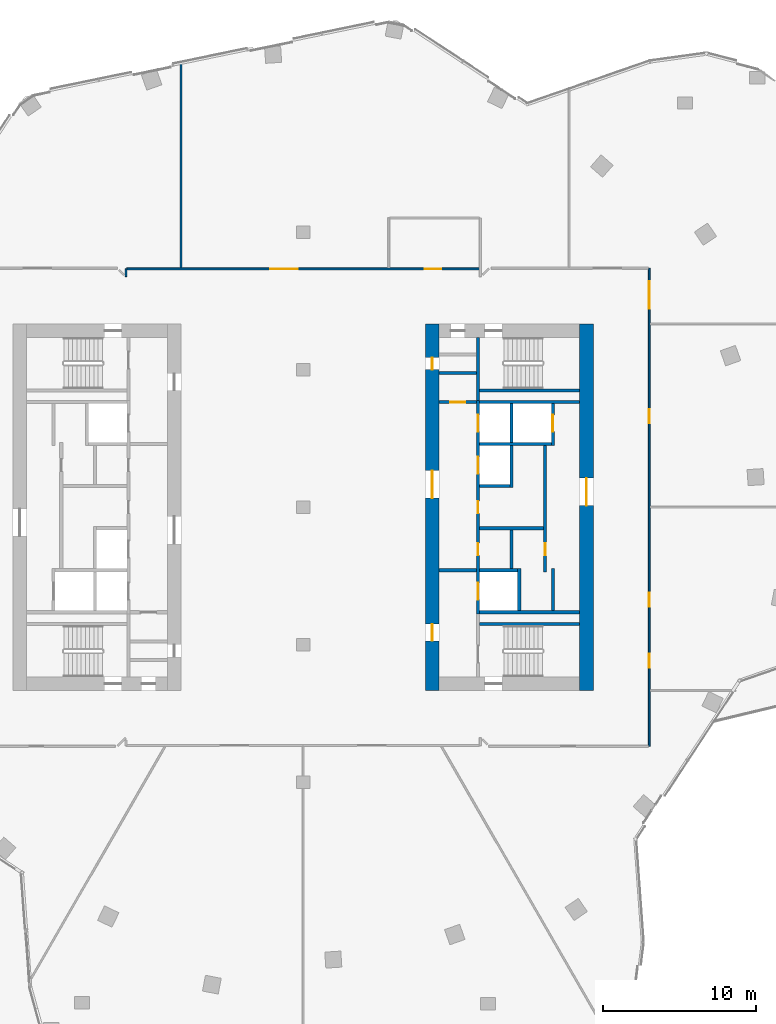
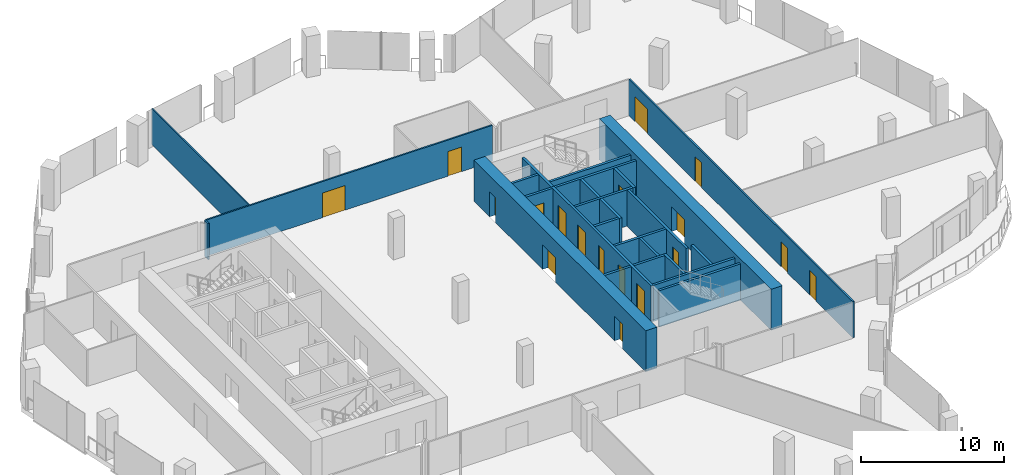
# One storey, part 19 of 26: 26 walls, 18 doors, 18 openings.
"""IFC4 building model written with IfcOpenShell, lengths in metres."""

from ifc_helpers import new_model, si_unit, direction, frame, frame_2d, origin, place, context, subcontext, project, spatial, rectangle, extrude, material, layer, layer_set, type_object, element, fill, save


model = new_model("IFC4")

# Units and contexts
model_context = context("Model", 3, precision=1e-05, world=origin(), true_north=direction((0.0, 1.0)))
body_context = subcontext(model_context, "Body", "Model", "MODEL_VIEW")
ifc_project = project(units=[si_unit("LENGTHUNIT", "METRE"), si_unit("AREAUNIT", "SQUARE_METRE"), si_unit("VOLUMEUNIT", "CUBIC_METRE"), si_unit("PLANEANGLEUNIT", "RADIAN"), si_unit("MASSUNIT", "GRAM", prefix="KILO")], contexts=[model_context])

# Site, building, storey
site_placement = place(None, origin())
site = spatial("IfcSite", under=ifc_project, at=site_placement, CompositionType="ELEMENT")
building_placement = place(site_placement, origin())
building = spatial("IfcBuilding", under=site, at=building_placement, Name="Orlundy Tower", CompositionType="ELEMENT")
storey_placement = place(building_placement, frame((0.0, 0.0, 232.0)))
storey = spatial("IfcBuildingStorey", under=building, at=storey_placement, Name="L61", CompositionType="ELEMENT", Elevation=232.0)

# Wall, openings, doors
ifc_material_1 = material(Name="Concrete C60/75", Category="concrete")
ifc_layer_1 = layer(ifc_material_1, 0.89990234375)
ifc_layer_set_1 = layer_set([ifc_layer_1], Name="CORE WALL 900 C60/75")
wall_type_1 = type_object("IfcWallType", Name="CORE WALL 900 C60/75", PredefinedType="SHEAR", material=ifc_layer_set_1)
wall_1_placement = place(storey_placement, frame((8.449951171875, -12.0, 0.0), z_axis=(0.0, 0.0, 1.0), x_axis=(0.0, 1.0, 0.0)))
wall_1 = element("IfcWall", 1, at=wall_1_placement, inside=storey, type_object=wall_type_1, Name="Core wall E-W L61", PredefinedType="SHEAR", context=body_context, shape_type="SweptSolid", body=[
    extrude(rectangle(XDim=24.0, YDim=0.89990234375, at=frame_2d((12.0, 0.0))), origin(), (0.0, 0.0, 1.0), 3.5),
])
opening_1_placement = place(wall_1_placement, frame((12.60009765625, 0.0, 0.0)))
opening_1 = element("IfcOpeningElement", 2, at=opening_1_placement, cuts=wall_1, Name="Opening 47057", PredefinedType="OPENING", context=body_context, shape_type="SweptSolid", body=[
    extrude(rectangle(XDim=1.800048828125, YDim=2.10009765625, at=frame_2d((0.89990234375, 1.050048828125))), frame((0.0, 0.4599609375, 0.0), z_axis=(0.0, -1.0, 0.0), x_axis=(1.0, 0.0, 0.0)), (0.0, 0.0, 1.0), 0.919921875),
])
opening_2_placement = place(wall_1_placement, frame((3.25, 0.0, 0.0)))
opening_2 = element("IfcOpeningElement", 3, at=opening_2_placement, cuts=wall_1, Name="Opening 47059", PredefinedType="OPENING", context=body_context, shape_type="SweptSolid", body=[
    extrude(rectangle(XDim=1.10009765625, YDim=2.10009765625, at=frame_2d((0.550048828125, 1.050048828125))), frame((0.0, 0.4599609375, 0.0), z_axis=(0.0, -1.0, 0.0), x_axis=(1.0, 0.0, 0.0)), (0.0, 0.0, 1.0), 0.919921875),
])
opening_3_placement = place(wall_1_placement, frame((21.0, 0.0, 0.0)))
opening_3 = element("IfcOpeningElement", 4, at=opening_3_placement, cuts=wall_1, Name="Opening 47064", PredefinedType="OPENING", context=body_context, shape_type="SweptSolid", body=[
    extrude(rectangle(XDim=0.800048828125, YDim=2.10009765625, at=frame_2d((0.39990234375, 1.050048828125))), frame((0.0, 0.4599609375, 0.0), z_axis=(0.0, -1.0, 0.0), x_axis=(1.0, 0.0, 0.0)), (0.0, 0.0, 1.0), 0.919921875),
])
ifc_material_2 = material(Name="Steel door set", Category="steel")
door_type_1 = type_object("IfcDoorType", Name="Fire-fighting Lobby Door 1100x2100", OperationType="SINGLE_SWING_LEFT", PredefinedType="DOOR", material=ifc_material_2)
door_1_placement = place(opening_2_placement, origin())
door_1 = element("IfcDoor", 5, at=door_1_placement, inside=storey, type_object=door_type_1, Name="Fire-fighting lobby door 47059", OperationType="SINGLE_SWING_LEFT", OverallHeight=2.10009765625, OverallWidth=1.10009765625, PredefinedType="DOOR", context=body_context, shape_type="SweptSolid", body=[
    extrude(rectangle(XDim=1.10009765625, YDim=2.10009765625, at=frame_2d((0.550048828125, 1.050048828125))), frame((0.0, 0.02490234375, 0.0), z_axis=(0.0, -1.0, 0.0), x_axis=(1.0, 0.0, 0.0)), (0.0, 0.0, 1.0), 0.050048828125),
])
fill(opening_2, door_1)
ifc_material_3 = material(Name="Timber door set", Category="wood")
door_type_2 = type_object("IfcDoorType", Name="Lobby Door 1800x2100", OperationType="DOUBLE_DOOR_DOUBLE_SWING", PredefinedType="DOOR", material=ifc_material_3)
door_2_placement = place(opening_1_placement, origin())
door_2 = element("IfcDoor", 6, at=door_2_placement, inside=storey, type_object=door_type_2, Name="Lift lobby door 47057", OperationType="SINGLE_SWING_RIGHT", OverallHeight=2.10009765625, OverallWidth=1.800048828125, PredefinedType="DOOR", context=body_context, shape_type="SweptSolid", body=[
    extrude(rectangle(XDim=1.800048828125, YDim=2.10009765625, at=frame_2d((0.89990234375, 1.050048828125))), frame((0.0, 0.02490234375, 0.0), z_axis=(0.0, -1.0, 0.0), x_axis=(1.0, 0.0, 0.0)), (0.0, 0.0, 1.0), 0.050048828125),
])
fill(opening_1, door_2)
ifc_material_4 = material(Name="Timber door set", Category="wood")
door_type_3 = type_object("IfcDoorType", Name="Riser Door 800x2100", OperationType="SINGLE_SWING_LEFT", PredefinedType="DOOR", material=ifc_material_4)
door_3_placement = place(opening_3_placement, origin())
door_3 = element("IfcDoor", 7, at=door_3_placement, inside=storey, type_object=door_type_3, Name="Door 47064", OperationType="SINGLE_SWING_RIGHT", OverallHeight=2.10009765625, OverallWidth=0.800048828125, PredefinedType="DOOR", context=body_context, shape_type="SweptSolid", body=[
    extrude(rectangle(XDim=0.800048828125, YDim=2.10009765625, at=frame_2d((0.39990234375, 1.050048828125))), frame((0.0, 0.02490234375, 0.0), z_axis=(0.0, -1.0, 0.0), x_axis=(1.0, 0.0, 0.0)), (0.0, 0.0, 1.0), 0.050048828125),
])
fill(opening_3, door_3)

# Wall, opening, door
wall_2_placement = place(storey_placement, frame((18.550048828125, -12.0, 0.0), z_axis=(0.0, 0.0, 1.0), x_axis=(0.0, 1.0, 0.0)))
wall_2 = element("IfcWall", 8, at=wall_2_placement, inside=storey, type_object=wall_type_1, Name="Core wall E-E L61", PredefinedType="SHEAR", context=body_context, shape_type="SweptSolid", body=[
    extrude(rectangle(XDim=24.0, YDim=0.89990234375, at=frame_2d((12.0, 0.0))), origin(), (0.0, 0.0, 1.0), 3.5),
])
opening_4_placement = place(wall_2_placement, frame((12.10009765625, 0.0, 0.0)))
opening_4 = element("IfcOpeningElement", 9, at=opening_4_placement, cuts=wall_2, Name="Opening 47058", PredefinedType="OPENING", context=body_context, shape_type="SweptSolid", body=[
    extrude(rectangle(XDim=1.800048828125, YDim=2.10009765625, at=frame_2d((0.89990234375, 1.050048828125))), frame((0.0, 0.4599609375, 0.0), z_axis=(0.0, -1.0, 0.0), x_axis=(1.0, 0.0, 0.0)), (0.0, 0.0, 1.0), 0.919921875),
])
door_4_placement = place(opening_4_placement, origin())
door_4 = element("IfcDoor", 10, at=door_4_placement, inside=storey, type_object=door_type_2, Name="Lift lobby door 47058", OperationType="SINGLE_SWING_RIGHT", OverallHeight=2.10009765625, OverallWidth=1.800048828125, PredefinedType="DOOR", context=body_context, shape_type="SweptSolid", body=[
    extrude(rectangle(XDim=1.800048828125, YDim=2.10009765625, at=frame_2d((0.89990234375, 1.050048828125))), frame((0.0, 0.02490234375, 0.0), z_axis=(0.0, -1.0, 0.0), x_axis=(1.0, 0.0, 0.0)), (0.0, 0.0, 1.0), 0.050048828125),
])
fill(opening_4, door_4)

# Wall
ifc_material_5 = material(Name="Gypsum board partition")
ifc_layer_2 = layer(ifc_material_5, 0.10009765625)
ifc_layer_set_2 = layer_set([ifc_layer_2], Name="Floor partition 100")
wall_type_2 = type_object("IfcWallType", Name="Floor partition 100", PredefinedType="PARTITIONING", material=ifc_layer_set_2)
wall_3_placement = place(storey_placement, frame((-8.0, 15.6640625, 0.0), z_axis=(0.0, 0.0, 1.0), x_axis=(0.0, 1.0, 0.0)))
element("IfcWall", 11, at=wall_3_placement, inside=storey, type_object=wall_type_2, Name="wall-int-L61-028", PredefinedType="PARTITIONING", context=body_context, shape_type="SweptSolid", body=[
    extrude(rectangle(XDim=13.572021484375, YDim=0.10009765625, at=frame_2d((6.7861328125, 0.0))), origin(), (0.0, 0.0, 1.0), 3.080078125),
])

# Wall, openings, doors
ifc_material_6 = material(Name="Gypsum board partition, double layer")
ifc_layer_3 = layer(ifc_material_6, 0.125)
ifc_layer_set_3 = layer_set([ifc_layer_3], Name="Floor partition 125")
wall_type_3 = type_object("IfcWallType", Name="Floor partition 125", PredefinedType="PARTITIONING", material=ifc_layer_set_3)
wall_4_placement = place(storey_placement, frame((-11.537109375, 15.60107421875, 0.0), z_axis=(0.0, 0.0, 1.0), x_axis=(1.0, 0.0, 0.0)))
wall_4 = element("IfcWall", 12, at=wall_4_placement, inside=storey, type_object=wall_type_3, Name="wall-int-L61-014", PredefinedType="PARTITIONING", context=body_context, shape_type="SweptSolid", body=[
    extrude(rectangle(XDim=23.07421875, YDim=0.125, at=frame_2d((11.537109375, 0.0))), origin(), (0.0, 0.0, 1.0), 3.080078125),
])
opening_5_placement = place(wall_4_placement, frame((9.387451171875, 0.0, 0.0)))
opening_5 = element("IfcOpeningElement", 13, at=opening_5_placement, cuts=wall_4, Name="Opening 47109", PredefinedType="OPENING", context=body_context, shape_type="SweptSolid", body=[
    extrude(rectangle(XDim=1.800048828125, YDim=2.10009765625, at=frame_2d((0.89990234375, 1.050048828125))), frame((0.0, 0.072509765625, 0.0), z_axis=(0.0, -1.0, 0.0), x_axis=(1.0, 0.0, 0.0)), (0.0, 0.0, 1.0), 0.14501953125),
])
opening_6_placement = place(wall_4_placement, frame((19.486572265625, 0.0, 0.0)))
opening_6 = element("IfcOpeningElement", 14, at=opening_6_placement, cuts=wall_4, Name="Opening 47113", PredefinedType="OPENING", context=body_context, shape_type="SweptSolid", body=[
    extrude(rectangle(XDim=1.10009765625, YDim=2.10009765625, at=frame_2d((0.550048828125, 1.050048828125))), frame((0.0, 0.072509765625, 0.0), z_axis=(0.0, -1.0, 0.0), x_axis=(1.0, 0.0, 0.0)), (0.0, 0.0, 1.0), 0.14501953125),
])
ifc_material_7 = material(Name="Timber door leaf", Category="wood")
door_type_4 = type_object("IfcDoorType", Name="Floor door double 1800 FD30S", OperationType="NOTDEFINED", PredefinedType="DOOR", material=ifc_material_7)
door_5_placement = place(opening_5_placement, origin())
door_5 = element("IfcDoor", 15, at=door_5_placement, inside=storey, type_object=door_type_4, Name="Door 47109", OperationType="DOUBLE_DOOR_SINGLE_SWING", OverallHeight=2.10009765625, OverallWidth=1.800048828125, PredefinedType="DOOR", context=body_context, shape_type="SweptSolid", body=[
    extrude(rectangle(XDim=1.800048828125, YDim=2.10009765625, at=frame_2d((0.89990234375, 1.050048828125))), frame((0.0, 0.02490234375, 0.0), z_axis=(0.0, -1.0, 0.0), x_axis=(1.0, 0.0, 0.0)), (0.0, 0.0, 1.0), 0.050048828125),
])
fill(opening_5, door_5)
ifc_material_8 = material(Name="Timber door leaf", Category="wood")
door_type_5 = type_object("IfcDoorType", Name="Floor door xwide 1100 FD30S", OperationType="NOTDEFINED", PredefinedType="DOOR", material=ifc_material_8)
door_6_placement = place(opening_6_placement, origin())
door_6 = element("IfcDoor", 16, at=door_6_placement, inside=storey, type_object=door_type_5, Name="Door 47113", OperationType="SINGLE_SWING_RIGHT", OverallHeight=2.10009765625, OverallWidth=1.10009765625, PredefinedType="DOOR", context=body_context, shape_type="SweptSolid", body=[
    extrude(rectangle(XDim=1.10009765625, YDim=2.10009765625, at=frame_2d((0.550048828125, 1.050048828125))), frame((0.0, 0.02490234375, 0.0), z_axis=(0.0, -1.0, 0.0), x_axis=(1.0, 0.0, 0.0)), (0.0, 0.0, 1.0), 0.050048828125),
])
fill(opening_6, door_6)

# Wall
wall_5_placement = place(storey_placement, frame((-11.60107421875, 15.092041015625, 0.0), z_axis=(0.0, 0.0, 1.0), x_axis=(0.00192214926, 0.999998152669, 0.0)))
element("IfcWall", 17, at=wall_5_placement, inside=storey, type_object=wall_type_3, Name="wall-int-L61-021", PredefinedType="PARTITIONING", context=body_context, shape_type="SweptSolid", body=[
    extrude(rectangle(XDim=0.508056640625, YDim=0.125, at=frame_2d((0.25390625, 0.0))), origin(), (0.0, 0.0, 1.0), 3.080078125),
])

# Wall, openings, doors
wall_6_placement = place(storey_placement, frame((22.65087890625, 15.64990234375, 0.0), z_axis=(0.0, 0.0, 1.0), x_axis=(0.0, -1.0, 0.0)))
wall_6 = element("IfcWall", 18, at=wall_6_placement, inside=storey, type_object=wall_type_3, Name="wall-int-L61-022", PredefinedType="PARTITIONING", context=body_context, shape_type="SweptSolid", body=[
    extrude(rectangle(XDim=31.2998046875, YDim=0.125, at=frame_2d((15.64990234375, 0.0))), origin(), (0.0, 0.0, 1.0), 3.080078125),
])
opening_7_placement = place(wall_6_placement, frame((25.25, 0.0, 0.0)))
opening_7 = element("IfcOpeningElement", 19, at=opening_7_placement, cuts=wall_6, Name="Opening 47104", PredefinedType="OPENING", context=body_context, shape_type="SweptSolid", body=[
    extrude(rectangle(XDim=0.89990234375, YDim=2.10009765625, at=frame_2d((0.449951171875, 1.050048828125))), frame((0.0, 0.072509765625, 0.0), z_axis=(0.0, -1.0, 0.0), x_axis=(1.0, 0.0, 0.0)), (0.0, 0.0, 1.0), 0.14501953125),
])
opening_8_placement = place(wall_6_placement, frame((21.25, 0.0, 0.0)))
opening_8 = element("IfcOpeningElement", 20, at=opening_8_placement, cuts=wall_6, Name="Opening 47105", PredefinedType="OPENING", context=body_context, shape_type="SweptSolid", body=[
    extrude(rectangle(XDim=0.89990234375, YDim=2.10009765625, at=frame_2d((0.449951171875, 1.050048828125))), frame((0.0, 0.072509765625, 0.0), z_axis=(0.0, -1.0, 0.0), x_axis=(1.0, 0.0, 0.0)), (0.0, 0.0, 1.0), 0.14501953125),
])
opening_9_placement = place(wall_6_placement, frame((9.25, 0.0, 0.0)))
opening_9 = element("IfcOpeningElement", 21, at=opening_9_placement, cuts=wall_6, Name="Opening 47106", PredefinedType="OPENING", context=body_context, shape_type="SweptSolid", body=[
    extrude(rectangle(XDim=0.89990234375, YDim=2.10009765625, at=frame_2d((0.449951171875, 1.050048828125))), frame((0.0, 0.072509765625, 0.0), z_axis=(0.0, -1.0, 0.0), x_axis=(1.0, 0.0, 0.0)), (0.0, 0.0, 1.0), 0.14501953125),
])
opening_10_placement = place(wall_6_placement, frame((0.85009765625, 0.0, 0.0)))
opening_10 = element("IfcOpeningElement", 22, at=opening_10_placement, cuts=wall_6, Name="Opening 47108", PredefinedType="OPENING", context=body_context, shape_type="SweptSolid", body=[
    extrude(rectangle(XDim=1.800048828125, YDim=2.10009765625, at=frame_2d((0.89990234375, 1.050048828125))), frame((0.0, 0.072509765625, 0.0), z_axis=(0.0, -1.0, 0.0), x_axis=(1.0, 0.0, 0.0)), (0.0, 0.0, 1.0), 0.14501953125),
])
door_7_placement = place(opening_10_placement, origin())
door_7 = element("IfcDoor", 23, at=door_7_placement, inside=storey, type_object=door_type_4, Name="Door 47108", OperationType="DOUBLE_DOOR_SINGLE_SWING", OverallHeight=2.10009765625, OverallWidth=1.800048828125, PredefinedType="DOOR", context=body_context, shape_type="SweptSolid", body=[
    extrude(rectangle(XDim=1.800048828125, YDim=2.10009765625, at=frame_2d((0.89990234375, 1.050048828125))), frame((0.0, 0.02490234375, 0.0), z_axis=(0.0, -1.0, 0.0), x_axis=(1.0, 0.0, 0.0)), (0.0, 0.0, 1.0), 0.050048828125),
])
fill(opening_10, door_7)
ifc_material_9 = material(Name="Timber door leaf", Category="wood")
door_type_6 = type_object("IfcDoorType", Name="Floor door single 900 FD30S", OperationType="NOTDEFINED", PredefinedType="DOOR", material=ifc_material_9)
door_8_placement = place(opening_7_placement, origin())
door_8 = element("IfcDoor", 24, at=door_8_placement, inside=storey, type_object=door_type_6, Name="Door 47104", OperationType="SINGLE_SWING_RIGHT", OverallHeight=2.10009765625, OverallWidth=0.89990234375, PredefinedType="DOOR", context=body_context, shape_type="SweptSolid", body=[
    extrude(rectangle(XDim=0.89990234375, YDim=2.10009765625, at=frame_2d((0.449951171875, 1.050048828125))), frame((0.0, 0.02490234375, 0.0), z_axis=(0.0, -1.0, 0.0), x_axis=(1.0, 0.0, 0.0)), (0.0, 0.0, 1.0), 0.050048828125),
])
fill(opening_7, door_8)
door_9_placement = place(opening_8_placement, origin())
door_9 = element("IfcDoor", 25, at=door_9_placement, inside=storey, type_object=door_type_6, Name="Door 47105", OperationType="SINGLE_SWING_RIGHT", OverallHeight=2.10009765625, OverallWidth=0.89990234375, PredefinedType="DOOR", context=body_context, shape_type="SweptSolid", body=[
    extrude(rectangle(XDim=0.89990234375, YDim=2.10009765625, at=frame_2d((0.449951171875, 1.050048828125))), frame((0.0, 0.02490234375, 0.0), z_axis=(0.0, -1.0, 0.0), x_axis=(1.0, 0.0, 0.0)), (0.0, 0.0, 1.0), 0.050048828125),
])
fill(opening_8, door_9)
door_10_placement = place(opening_9_placement, origin())
door_10 = element("IfcDoor", 26, at=door_10_placement, inside=storey, type_object=door_type_6, Name="Door 47106", OperationType="SINGLE_SWING_LEFT", OverallHeight=2.10009765625, OverallWidth=0.89990234375, PredefinedType="DOOR", context=body_context, shape_type="SweptSolid", body=[
    extrude(rectangle(XDim=0.89990234375, YDim=2.10009765625, at=frame_2d((0.449951171875, 1.050048828125))), frame((0.0, 0.02490234375, 0.0), z_axis=(0.0, -1.0, 0.0), x_axis=(1.0, 0.0, 0.0)), (0.0, 0.0, 1.0), 0.050048828125),
])
fill(opening_9, door_10)

# Walls
ifc_material_10 = material(Name="Concrete C40/50", Category="concrete")
ifc_layer_4 = layer(ifc_material_10, 0.199951171875)
ifc_layer_set_4 = layer_set([ifc_layer_4], Name="Load-bearing Shaft Wall 200")
wall_type_4 = type_object("IfcWallType", Name="Load-bearing Shaft Wall 200", PredefinedType="SOLIDWALL", material=ifc_layer_set_4)
wall_7_placement = place(storey_placement, frame((11.5400390625, -7.64990234375, 0.0), z_axis=(0.0, 0.0, 1.0), x_axis=(1.0, 0.0, 0.0)))
element("IfcWall", 27, at=wall_7_placement, inside=storey, type_object=wall_type_4, Name="Shaft wall E47-stair-side-n", PredefinedType="SOLIDWALL", context=body_context, shape_type="SweptSolid", body=[
    extrude(rectangle(XDim=6.56005859375, YDim=0.199951171875, at=frame_2d((3.280029296875, 0.0))), origin(), (0.0, 0.0, 1.0), 3.090087890625),
])
wall_8_placement = place(storey_placement, frame((11.43994140625, 11.10009765625, 0.0), z_axis=(0.0, 0.0, 1.0), x_axis=(0.0, -1.0, 0.0)))
element("IfcWall", 28, at=wall_8_placement, inside=storey, type_object=wall_type_4, Name="Shaft wall E47-stair-end-s", PredefinedType="SOLIDWALL", context=body_context, shape_type="SweptSolid", body=[
    extrude(rectangle(XDim=4.125, YDim=0.199951171875, at=frame_2d((2.0625, 0.0))), origin(), (0.0, 0.0, 1.0), 3.090087890625),
])
wall_9_placement = place(storey_placement, frame((11.5400390625, 7.64990234375, 0.0), z_axis=(0.0, 0.0, 1.0), x_axis=(1.0, 0.0, 0.0)))
element("IfcWall", 29, at=wall_9_placement, inside=storey, type_object=wall_type_4, Name="Shaft wall E47-stair-side-s", PredefinedType="SOLIDWALL", context=body_context, shape_type="SweptSolid", body=[
    extrude(rectangle(XDim=6.56005859375, YDim=0.199951171875, at=frame_2d((3.280029296875, 0.0))), origin(), (0.0, 0.0, 1.0), 3.090087890625),
])
ifc_material_11 = material(Name="Gypsum board partition on steel studs", Category="steel")
ifc_layer_5 = layer(ifc_material_11, 0.199951171875)
ifc_layer_set_5 = layer_set([ifc_layer_5], Name="Partition 200")
wall_type_5 = type_object("IfcWallType", Name="Partition 200", PredefinedType="PARTITIONING", material=ifc_layer_set_5)
wall_10_placement = place(storey_placement, frame((8.89990234375, -4.125, 0.0), z_axis=(0.0, 0.0, 1.0), x_axis=(1.0, 0.0, 0.0)))
element("IfcWall", 30, at=wall_10_placement, inside=storey, type_object=wall_type_5, Name="Partition wall E47-lobby-n", PredefinedType="PARTITIONING", context=body_context, shape_type="SweptSolid", body=[
    extrude(rectangle(XDim=2.440185546875, YDim=0.199951171875, at=frame_2d((1.22021484375, 0.0))), origin(), (0.0, 0.0, 1.0), 3.090087890625),
])

# Wall, opening, door
wall_11_placement = place(storey_placement, frame((8.89990234375, 6.875, 0.0), z_axis=(0.0, 0.0, 1.0), x_axis=(1.0, 0.0, 0.0)))
wall_11 = element("IfcWall", 31, at=wall_11_placement, inside=storey, type_object=wall_type_5, Name="Partition wall E47-end-s", PredefinedType="PARTITIONING", context=body_context, shape_type="SweptSolid", body=[
    extrude(rectangle(XDim=2.440185546875, YDim=0.199951171875, at=frame_2d((1.22021484375, 0.0))), origin(), (0.0, 0.0, 1.0), 3.090087890625),
])
opening_11_placement = place(wall_11_placement, frame((0.719970703125, 0.0, 0.0)))
opening_11 = element("IfcOpeningElement", 32, at=opening_11_placement, cuts=wall_11, Name="Opening 47065", PredefinedType="OPENING", context=body_context, shape_type="SweptSolid", body=[
    extrude(rectangle(XDim=1.0, YDim=2.10009765625, at=frame_2d((0.5, 1.050048828125))), frame((0.0, 0.110107421875, 0.0), z_axis=(0.0, -1.0, 0.0), x_axis=(1.0, 0.0, 0.0)), (0.0, 0.0, 1.0), 0.22021484375),
])
ifc_material_12 = material(Name="Timber door set", Category="wood")
door_type_7 = type_object("IfcDoorType", Name="Accessible Door 1000x2100", OperationType="SINGLE_SWING_LEFT", PredefinedType="DOOR", material=ifc_material_12)
door_11_placement = place(opening_11_placement, origin())
door_11 = element("IfcDoor", 33, at=door_11_placement, inside=storey, type_object=door_type_7, Name="Accessible WC door 47065", OperationType="SINGLE_SWING_RIGHT", OverallHeight=2.10009765625, OverallWidth=1.0, PredefinedType="DOOR", context=body_context, shape_type="SweptSolid", body=[
    extrude(rectangle(XDim=1.0, YDim=2.10009765625, at=frame_2d((0.5, 1.050048828125))), frame((0.0, 0.02490234375, 0.0), z_axis=(0.0, -1.0, 0.0), x_axis=(1.0, 0.0, 0.0)), (0.0, 0.0, 1.0), 0.050048828125),
])
fill(opening_11, door_11)

# Walls
wall_12_placement = place(storey_placement, frame((8.89990234375, 8.800048828125, 0.0), z_axis=(0.0, 0.0, 1.0), x_axis=(1.0, 0.0, 0.0)))
element("IfcWall", 34, at=wall_12_placement, inside=storey, type_object=wall_type_5, Name="Partition wall E47-room-s1", PredefinedType="PARTITIONING", context=body_context, shape_type="SweptSolid", body=[
    extrude(rectangle(XDim=2.440185546875, YDim=0.199951171875, at=frame_2d((1.22021484375, 0.0))), origin(), (0.0, 0.0, 1.0), 3.090087890625),
])
ifc_material_13 = material(Name="Fire-rated blockwork shaft wall", Category="masonry")
ifc_layer_6 = layer(ifc_material_13, 0.199951171875)
ifc_layer_set_6 = layer_set([ifc_layer_6], Name="Shaft Wall 200")
wall_type_6 = type_object("IfcWallType", Name="Shaft Wall 200", PredefinedType="SOLIDWALL", material=ifc_layer_set_6)
for number, where, z_axis, x_axis, name in (
    (35, (11.5400390625, -6.875, 0.0), (0.0, 0.0, 1.0), (1.0, 0.0, 0.0), "Shaft wall E47-zone-n"),
    (36, (11.5400390625, 6.875, 0.0), (0.0, 0.0, 1.0), (1.0, 0.0, 0.0), "Shaft wall E47-zone-s"),
):
    element("IfcWall", number, at=place(storey_placement, frame(where, z_axis=z_axis, x_axis=x_axis)), inside=storey, type_object=wall_type_6, Name=name, PredefinedType="SOLIDWALL", context=body_context, shape_type="SweptSolid", body=[
        extrude(rectangle(XDim=6.56005859375, YDim=0.199951171875, at=frame_2d((3.280029296875, 0.0))), origin(), (0.0, 0.0, 1.0), 3.090087890625),
    ])
wall_13_placement = place(storey_placement, frame((11.5400390625, 4.125, 0.0), z_axis=(0.0, 0.0, 1.0), x_axis=(1.0, 0.0, 0.0)))
element("IfcWall", 37, at=wall_13_placement, inside=storey, type_object=wall_type_6, Name="Shaft wall E47-cross-4.125", PredefinedType="SOLIDWALL", context=body_context, shape_type="SweptSolid", body=[
    extrude(rectangle(XDim=4.699951171875, YDim=0.199951171875, at=frame_2d((2.35009765625, 0.0))), origin(), (0.0, 0.0, 1.0), 3.090087890625),
])
wall_14_placement = place(storey_placement, frame((11.5400390625, 1.375, 0.0), z_axis=(0.0, 0.0, 1.0), x_axis=(1.0, 0.0, 0.0)))
element("IfcWall", 38, at=wall_14_placement, inside=storey, type_object=wall_type_6, Name="Shaft wall E47-cross-1.375", PredefinedType="SOLIDWALL", context=body_context, shape_type="SweptSolid", body=[
    extrude(rectangle(XDim=2.0, YDim=0.199951171875, at=frame_2d((1.0, 0.0))), origin(), (0.0, 0.0, 1.0), 3.090087890625),
])
wall_15_placement = place(storey_placement, frame((11.5400390625, -1.375, 0.0), z_axis=(0.0, 0.0, 1.0), x_axis=(1.0, 0.0, 0.0)))
element("IfcWall", 39, at=wall_15_placement, inside=storey, type_object=wall_type_6, Name="Shaft wall E47-cross+1.375", PredefinedType="SOLIDWALL", context=body_context, shape_type="SweptSolid", body=[
    extrude(rectangle(XDim=4.199951171875, YDim=0.199951171875, at=frame_2d((2.10009765625, 0.0))), origin(), (0.0, 0.0, 1.0), 3.090087890625),
])
wall_16_placement = place(storey_placement, frame((11.5400390625, -4.125, 0.0), z_axis=(0.0, 0.0, 1.0), x_axis=(1.0, 0.0, 0.0)))
element("IfcWall", 40, at=wall_16_placement, inside=storey, type_object=wall_type_6, Name="Shaft wall E47-cross+4.125", PredefinedType="SOLIDWALL", context=body_context, shape_type="SweptSolid", body=[
    extrude(rectangle(XDim=2.5, YDim=0.199951171875, at=frame_2d((1.25, 0.0))), origin(), (0.0, 0.0, 1.0), 3.090087890625),
])

# Wall, openings, doors
wall_17_placement = place(storey_placement, frame((11.43994140625, 6.97509765625, 0.0), z_axis=(0.0, 0.0, 1.0), x_axis=(0.0, -1.0, 0.0)))
wall_17 = element("IfcWall", 41, at=wall_17_placement, inside=storey, type_object=wall_type_6, Name="Shaft wall E47-front-h", PredefinedType="SOLIDWALL", context=body_context, shape_type="SweptSolid", body=[
    extrude(rectangle(XDim=13.9501953125, YDim=0.199951171875, at=frame_2d((6.97509765625, 0.0))), origin(), (0.0, 0.0, 1.0), 3.090087890625),
])
opening_12_placement = place(wall_17_placement, frame((0.925048828125, 0.0, 0.0)))
opening_12 = element("IfcOpeningElement", 42, at=opening_12_placement, cuts=wall_17, Name="Opening 47050", PredefinedType="OPENING", context=body_context, shape_type="SweptSolid", body=[
    extrude(rectangle(XDim=1.10009765625, YDim=2.10009765625, at=frame_2d((0.550048828125, 1.050048828125))), frame((0.0, 0.110107421875, 0.0), z_axis=(0.0, -1.0, 0.0), x_axis=(1.0, 0.0, 0.0)), (0.0, 0.0, 1.0), 0.22021484375),
])
opening_13_placement = place(wall_17_placement, frame((3.675048828125, 0.0, 0.0)))
opening_13 = element("IfcOpeningElement", 43, at=opening_13_placement, cuts=wall_17, Name="Opening 47052", PredefinedType="OPENING", context=body_context, shape_type="SweptSolid", body=[
    extrude(rectangle(XDim=1.10009765625, YDim=2.10009765625, at=frame_2d((0.550048828125, 1.050048828125))), frame((0.0, 0.110107421875, 0.0), z_axis=(0.0, -1.0, 0.0), x_axis=(1.0, 0.0, 0.0)), (0.0, 0.0, 1.0), 0.22021484375),
])
opening_14_placement = place(wall_17_placement, frame((11.925048828125, 0.0, 0.0)))
opening_14 = element("IfcOpeningElement", 44, at=opening_14_placement, cuts=wall_17, Name="Opening 47053", PredefinedType="OPENING", context=body_context, shape_type="SweptSolid", body=[
    extrude(rectangle(XDim=1.10009765625, YDim=2.10009765625, at=frame_2d((0.550048828125, 1.050048828125))), frame((0.0, 0.110107421875, 0.0), z_axis=(0.0, -1.0, 0.0), x_axis=(1.0, 0.0, 0.0)), (0.0, 0.0, 1.0), 0.22021484375),
])
opening_15_placement = place(wall_17_placement, frame((6.574951171875, 0.0, 0.0)))
opening_15 = element("IfcOpeningElement", 45, at=opening_15_placement, cuts=wall_17, Name="Opening 47054", PredefinedType="OPENING", context=body_context, shape_type="SweptSolid", body=[
    extrude(rectangle(XDim=0.800048828125, YDim=2.10009765625, at=frame_2d((0.39990234375, 1.050048828125))), frame((0.0, 0.110107421875, 0.0), z_axis=(0.0, -1.0, 0.0), x_axis=(1.0, 0.0, 0.0)), (0.0, 0.0, 1.0), 0.22021484375),
])
opening_16_placement = place(wall_17_placement, frame((9.324951171875, 0.0, 0.0)))
opening_16 = element("IfcOpeningElement", 46, at=opening_16_placement, cuts=wall_17, Name="Opening 47055", PredefinedType="OPENING", context=body_context, shape_type="SweptSolid", body=[
    extrude(rectangle(XDim=0.800048828125, YDim=2.10009765625, at=frame_2d((0.39990234375, 1.050048828125))), frame((0.0, 0.110107421875, 0.0), z_axis=(0.0, -1.0, 0.0), x_axis=(1.0, 0.0, 0.0)), (0.0, 0.0, 1.0), 0.22021484375),
])
ifc_material_14 = material(Name="Steel door set", Category="steel")
door_type_8 = type_object("IfcDoorType", Name="Landing Door 1100x2100", OperationType="DOUBLE_DOOR_SLIDING", PredefinedType="DOOR", material=ifc_material_14)
door_12_placement = place(opening_12_placement, origin())
door_12 = element("IfcDoor", 47, at=door_12_placement, inside=storey, type_object=door_type_8, Name="Lift landing door LP-24 47050", OperationType="DOUBLE_DOOR_SLIDING", OverallHeight=2.10009765625, OverallWidth=1.10009765625, PredefinedType="DOOR", context=body_context, shape_type="SweptSolid", body=[
    extrude(rectangle(XDim=1.10009765625, YDim=2.10009765625, at=frame_2d((0.550048828125, 1.050048828125))), frame((0.0, 0.02490234375, 0.0), z_axis=(0.0, -1.0, 0.0), x_axis=(1.0, 0.0, 0.0)), (0.0, 0.0, 1.0), 0.050048828125),
])
fill(opening_12, door_12)
door_13_placement = place(opening_13_placement, origin())
door_13 = element("IfcDoor", 48, at=door_13_placement, inside=storey, type_object=door_type_8, Name="Lift landing door LP-23 47052", OperationType="DOUBLE_DOOR_SLIDING", OverallHeight=2.10009765625, OverallWidth=1.10009765625, PredefinedType="DOOR", context=body_context, shape_type="SweptSolid", body=[
    extrude(rectangle(XDim=1.10009765625, YDim=2.10009765625, at=frame_2d((0.550048828125, 1.050048828125))), frame((0.0, 0.02490234375, 0.0), z_axis=(0.0, -1.0, 0.0), x_axis=(1.0, 0.0, 0.0)), (0.0, 0.0, 1.0), 0.050048828125),
])
fill(opening_13, door_13)
door_14_placement = place(opening_14_placement, origin())
door_14 = element("IfcDoor", 49, at=door_14_placement, inside=storey, type_object=door_type_8, Name="Lift landing door FL2 47053", OperationType="DOUBLE_DOOR_SLIDING", OverallHeight=2.10009765625, OverallWidth=1.10009765625, PredefinedType="DOOR", context=body_context, shape_type="SweptSolid", body=[
    extrude(rectangle(XDim=1.10009765625, YDim=2.10009765625, at=frame_2d((0.550048828125, 1.050048828125))), frame((0.0, 0.02490234375, 0.0), z_axis=(0.0, -1.0, 0.0), x_axis=(1.0, 0.0, 0.0)), (0.0, 0.0, 1.0), 0.050048828125),
])
fill(opening_14, door_14)
door_15_placement = place(opening_15_placement, origin())
door_15 = element("IfcDoor", 50, at=door_15_placement, inside=storey, type_object=door_type_3, Name="Refuse Room door 47054", OperationType="SINGLE_SWING_RIGHT", OverallHeight=2.10009765625, OverallWidth=0.800048828125, PredefinedType="DOOR", context=body_context, shape_type="SweptSolid", body=[
    extrude(rectangle(XDim=0.800048828125, YDim=2.10009765625, at=frame_2d((0.39990234375, 1.050048828125))), frame((0.0, 0.02490234375, 0.0), z_axis=(0.0, -1.0, 0.0), x_axis=(1.0, 0.0, 0.0)), (0.0, 0.0, 1.0), 0.050048828125),
])
fill(opening_15, door_15)
door_16_placement = place(opening_16_placement, origin())
door_16 = element("IfcDoor", 51, at=door_16_placement, inside=storey, type_object=door_type_3, Name="Cleaner's Store door 47055", OperationType="SINGLE_SWING_LEFT", OverallHeight=2.10009765625, OverallWidth=0.800048828125, PredefinedType="DOOR", context=body_context, shape_type="SweptSolid", body=[
    extrude(rectangle(XDim=0.800048828125, YDim=2.10009765625, at=frame_2d((0.39990234375, 1.050048828125))), frame((0.0, 0.02490234375, 0.0), z_axis=(0.0, -1.0, 0.0), x_axis=(1.0, 0.0, 0.0)), (0.0, 0.0, 1.0), 0.050048828125),
])
fill(opening_16, door_16)

# Walls
wall_18_placement = place(storey_placement, frame((13.639892578125, 6.77490234375, 0.0), z_axis=(0.0, 0.0, 1.0), x_axis=(0.0, -1.0, 0.0)))
element("IfcWall", 52, at=wall_18_placement, inside=storey, type_object=wall_type_6, Name="Shaft wall E47-mid-a", PredefinedType="SOLIDWALL", context=body_context, shape_type="SweptSolid", body=[
    extrude(rectangle(XDim=2.5498046875, YDim=0.199951171875, at=frame_2d((1.27490234375, 0.0))), origin(), (0.0, 0.0, 1.0), 3.090087890625),
])
wall_19_placement = place(storey_placement, frame((13.639892578125, 4.02490234375, 0.0), z_axis=(0.0, 0.0, 1.0), x_axis=(0.0, -1.0, 0.0)))
element("IfcWall", 53, at=wall_19_placement, inside=storey, type_object=wall_type_6, Name="Shaft wall E47-mid-a.1", PredefinedType="SOLIDWALL", context=body_context, shape_type="SweptSolid", body=[
    extrude(rectangle(XDim=2.75, YDim=0.199951171875, at=frame_2d((1.375, 0.0))), origin(), (0.0, 0.0, 1.0), 3.090087890625),
])
wall_20_placement = place(storey_placement, frame((13.639892578125, -1.47509765625, 0.0), z_axis=(0.0, 0.0, 1.0), x_axis=(0.0, -1.0, 0.0)))
element("IfcWall", 54, at=wall_20_placement, inside=storey, type_object=wall_type_6, Name="Shaft wall E47-mid-a1", PredefinedType="SOLIDWALL", context=body_context, shape_type="SweptSolid", body=[
    extrude(rectangle(XDim=2.5498046875, YDim=0.199951171875, at=frame_2d((1.27490234375, 0.0))), origin(), (0.0, 0.0, 1.0), 3.090087890625),
])
wall_21_placement = place(storey_placement, frame((14.139892578125, -4.02490234375, 0.0), z_axis=(0.0, 0.0, 1.0), x_axis=(0.0, -1.0, 0.0)))
element("IfcWall", 55, at=wall_21_placement, inside=storey, type_object=wall_type_6, Name="Shaft wall E47-mid-b", PredefinedType="SOLIDWALL", context=body_context, shape_type="SweptSolid", body=[
    extrude(rectangle(XDim=2.75, YDim=0.199951171875, at=frame_2d((1.375, 0.0))), origin(), (0.0, 0.0, 1.0), 3.090087890625),
])

# Wall, opening, door
wall_22_placement = place(storey_placement, frame((16.340087890625, 6.77490234375, 0.0), z_axis=(0.0, 0.0, 1.0), x_axis=(0.0, -1.0, 0.0)))
wall_22 = element("IfcWall", 56, at=wall_22_placement, inside=storey, type_object=wall_type_6, Name="Shaft wall E47-front-o-a", PredefinedType="SOLIDWALL", context=body_context, shape_type="SweptSolid", body=[
    extrude(rectangle(XDim=2.75, YDim=0.199951171875, at=frame_2d((1.375, 0.0))), origin(), (0.0, 0.0, 1.0), 3.090087890625),
])
opening_17_placement = place(wall_22_placement, frame((0.72509765625, 0.0, 0.0)))
opening_17 = element("IfcOpeningElement", 57, at=opening_17_placement, cuts=wall_22, Name="Opening 47051", PredefinedType="OPENING", context=body_context, shape_type="SweptSolid", body=[
    extrude(rectangle(XDim=1.10009765625, YDim=2.10009765625, at=frame_2d((0.550048828125, 1.050048828125))), frame((0.0, 0.110107421875, 0.0), z_axis=(0.0, -1.0, 0.0), x_axis=(1.0, 0.0, 0.0)), (0.0, 0.0, 1.0), 0.22021484375),
])
door_17_placement = place(opening_17_placement, origin())
door_17 = element("IfcDoor", 58, at=door_17_placement, inside=storey, type_object=door_type_8, Name="Lift landing door LV-02 47051", OperationType="DOUBLE_DOOR_SLIDING", OverallHeight=2.10009765625, OverallWidth=1.10009765625, PredefinedType="DOOR", context=body_context, shape_type="SweptSolid", body=[
    extrude(rectangle(XDim=1.10009765625, YDim=2.10009765625, at=frame_2d((0.550048828125, 1.050048828125))), frame((0.0, 0.02490234375, 0.0), z_axis=(0.0, -1.0, 0.0), x_axis=(1.0, 0.0, 0.0)), (0.0, 0.0, 1.0), 0.050048828125),
])
fill(opening_17, door_17)

wall_23_placement = place(storey_placement, frame((15.840087890625, 4.02490234375, 0.0), z_axis=(0.0, 0.0, 1.0), x_axis=(0.0, -1.0, 0.0)))
wall_23 = element("IfcWall", 59, at=wall_23_placement, inside=storey, type_object=wall_type_6, Name="Shaft wall E47-front-o-b", PredefinedType="SOLIDWALL", context=body_context, shape_type="SweptSolid", body=[
    extrude(rectangle(XDim=8.25, YDim=0.199951171875, at=frame_2d((4.125, 0.0))), origin(), (0.0, 0.0, 1.0), 3.090087890625),
])
opening_18_placement = place(wall_23_placement, frame((6.375, 0.0, 0.0)))
opening_18 = element("IfcOpeningElement", 60, at=opening_18_placement, cuts=wall_23, Name="Opening 47056", PredefinedType="OPENING", context=body_context, shape_type="SweptSolid", body=[
    extrude(rectangle(XDim=0.800048828125, YDim=2.10009765625, at=frame_2d((0.39990234375, 1.050048828125))), frame((0.0, 0.110107421875, 0.0), z_axis=(0.0, -1.0, 0.0), x_axis=(1.0, 0.0, 0.0)), (0.0, 0.0, 1.0), 0.22021484375),
])
door_18_placement = place(opening_18_placement, origin())
door_18 = element("IfcDoor", 61, at=door_18_placement, inside=storey, type_object=door_type_3, Name="Janitor Store door 47056", OperationType="SINGLE_SWING_LEFT", OverallHeight=2.10009765625, OverallWidth=0.800048828125, PredefinedType="DOOR", context=body_context, shape_type="SweptSolid", body=[
    extrude(rectangle(XDim=0.800048828125, YDim=2.10009765625, at=frame_2d((0.39990234375, 1.050048828125))), frame((0.0, 0.02490234375, 0.0), z_axis=(0.0, -1.0, 0.0), x_axis=(1.0, 0.0, 0.0)), (0.0, 0.0, 1.0), 0.050048828125),
])
fill(opening_18, door_18)

# Wall
wall_24_placement = place(storey_placement, frame((16.340087890625, -4.02490234375, 0.0), z_axis=(0.0, 0.0, 1.0), x_axis=(0.0, -1.0, 0.0)))
element("IfcWall", 62, at=wall_24_placement, inside=storey, type_object=wall_type_6, Name="Shaft wall E47-front-o-c", PredefinedType="SOLIDWALL", context=body_context, shape_type="SweptSolid", body=[
    extrude(rectangle(XDim=2.75, YDim=0.199951171875, at=frame_2d((1.375, 0.0))), origin(), (0.0, 0.0, 1.0), 3.090087890625),
])

save(model, "model.ifc")
